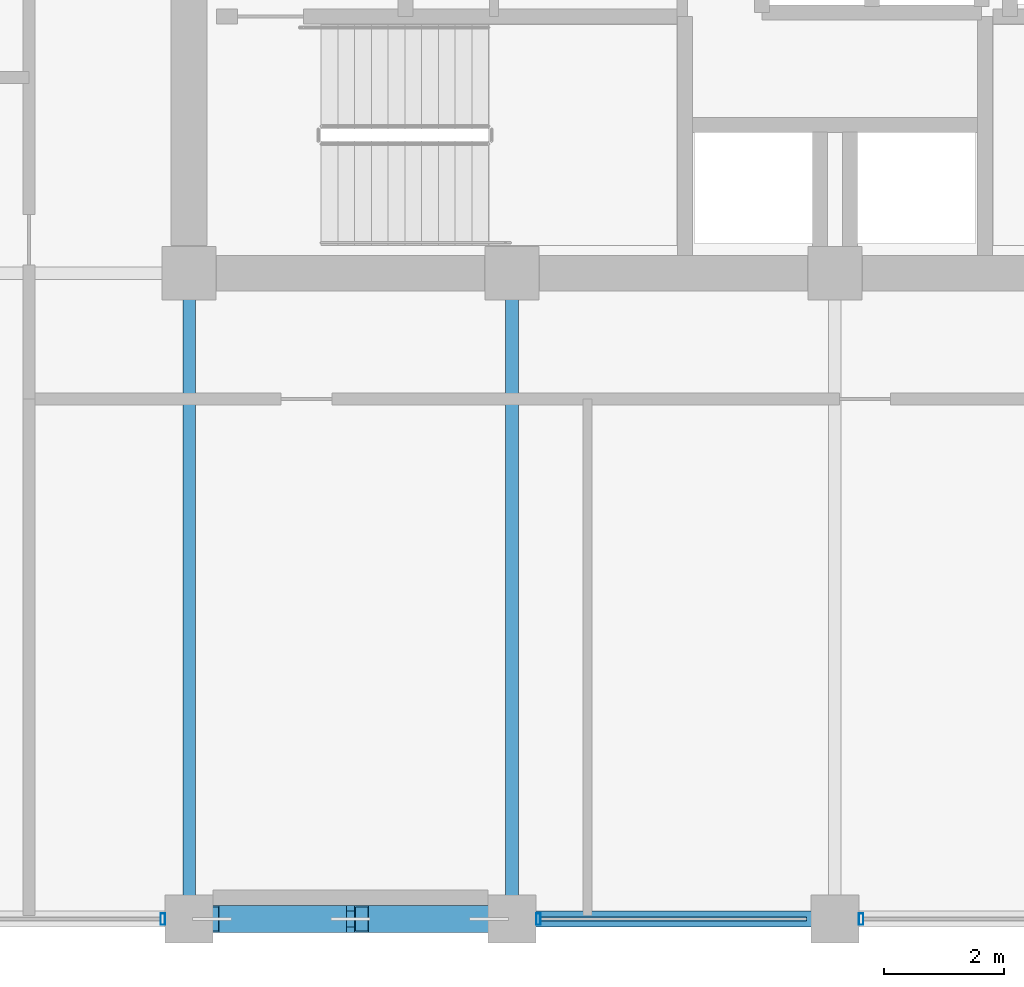
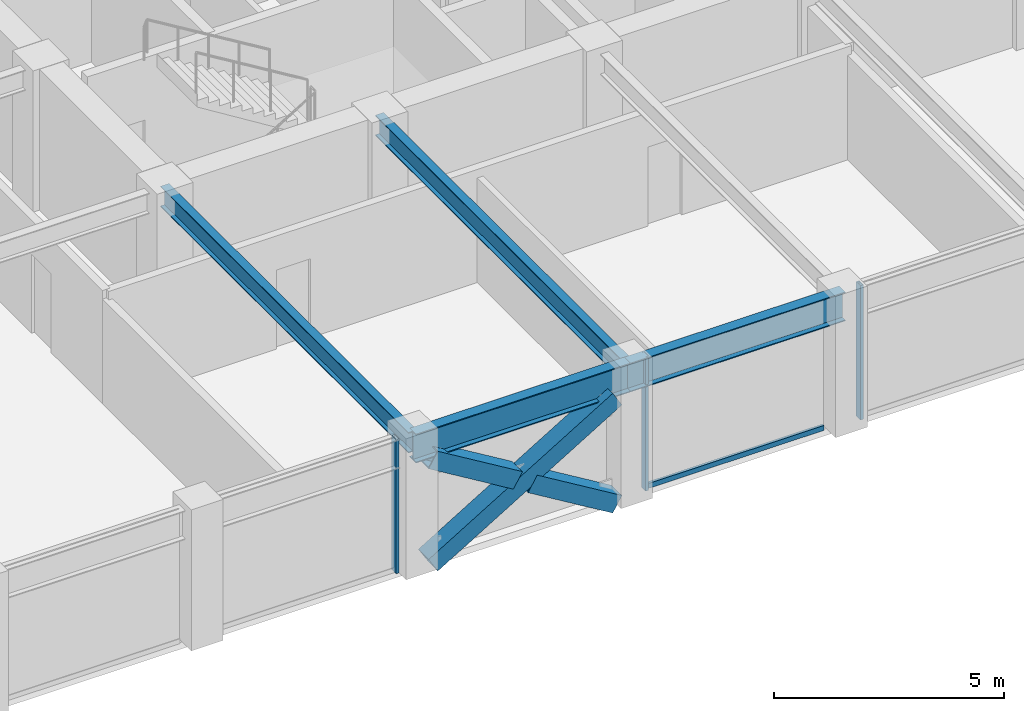
# One storey, part 6 of 30: 7 members, 4 beams, 2 elements without a shape of their own.
"""IFC4 building model written with IfcOpenShell, lengths in metres."""

from ifc_helpers import new_model, si_unit, direction, frame, origin, origin_2d, place, context, subcontext, project, spatial, hollow_rectangle, i_section, extrude, material, layer, layer_set, material_profile, profile_set, type_object, element, aggregate, save


model = new_model("IFC4")

# Units and contexts
model_context = context("Model", 3, precision=1e-05, world=origin(), true_north=direction((0.0, 1.0)))
body_context = subcontext(model_context, "Body", "Model", "MODEL_VIEW")
ifc_project = project(units=[si_unit("LENGTHUNIT", "METRE"), si_unit("AREAUNIT", "SQUARE_METRE"), si_unit("VOLUMEUNIT", "CUBIC_METRE"), si_unit("PLANEANGLEUNIT", "RADIAN"), si_unit("MASSUNIT", "GRAM", prefix="KILO")], contexts=[model_context])

# Site, building, storey
site_placement = place(None, origin())
site = spatial("IfcSite", under=ifc_project, at=site_placement, CompositionType="ELEMENT")
building_placement = place(site_placement, origin())
building = spatial("IfcBuilding", under=site, at=building_placement, Name="Surkhivell Harbour Commons", CompositionType="ELEMENT")
storey_placement = place(building_placement, frame((0.0, 0.0, 231.0)))
storey = spatial("IfcBuildingStorey", under=building, at=storey_placement, Name="L60", CompositionType="ELEMENT", Elevation=231.0)

# Beams
ifc_material_1 = material(Name="Steel S355", Category="steel")
ifc_material_profile_1 = material_profile(ifc_material_1, i_section(OverallWidth=0.2119140625, OverallDepth=0.5439453125, WebThickness=0.0126953125, FlangeThickness=0.021240234375, at=origin_2d()), Name="UB533x210x122")
ifc_profile_set_1 = profile_set([ifc_material_profile_1], Name="Steel S355")
beam_type_1 = type_object("IfcBeamType", Name="BM-GRD-533A", PredefinedType="BEAM", material=ifc_profile_set_1)
for number, where, z_axis, x_axis, name in (
    (1, (-10.800048828125, -21.60009765625, 3.298095703125), (0.0, 1.0, 0.0), (-1.0, 0.0, 0.0), "L60 Floor Girder (-10.8,-21.6)"),
    (2, (-5.39990234375, -21.60009765625, 3.298095703125), (0.0, 1.0, 0.0), (-1.0, 0.0, 0.0), "L60 Floor Girder (-5.4,-21.6)"),
):
    element("IfcBeam", number, at=place(storey_placement, frame(where, z_axis=z_axis, x_axis=x_axis)), inside=storey, type_object=beam_type_1, Name=name, PredefinedType="BEAM", context=body_context, shape_type="SweptSolid", body=[
        extrude(i_section(OverallWidth=0.2119140625, OverallDepth=0.5439453125, WebThickness=0.0126953125, FlangeThickness=0.021240234375, at=origin_2d()), origin(), (0.0, 0.0, 1.0), 10.800048828125),
    ])
ifc_material_profile_2 = material_profile(ifc_material_1, i_section(OverallWidth=0.26806640625, OverallDepth=0.77001953125, WebThickness=0.015625, FlangeThickness=0.025390625, at=origin_2d()), Name="UB762x267x197")
ifc_profile_set_2 = profile_set([ifc_material_profile_2], Name="Steel S355")
beam_type_2 = type_object("IfcBeamType", Name="BM-SPN-762", PredefinedType="SPANDREL", material=ifc_profile_set_2)
beam_1_placement = place(storey_placement, frame((-10.800048828125, -21.60009765625, 3.18505859375), z_axis=(1.0, 0.0, 0.0), x_axis=(0.0, 1.0, 0.0)))
element("IfcBeam", 3, at=beam_1_placement, inside=storey, type_object=beam_type_2, Name="L60 Tube Spandrel (-10.8,-21.6)", PredefinedType="SPANDREL", context=body_context, shape_type="SweptSolid", body=[
    extrude(i_section(OverallWidth=0.26806640625, OverallDepth=0.77001953125, WebThickness=0.015625, FlangeThickness=0.025390625, at=origin_2d()), origin(), (0.0, 0.0, 1.0), 5.400146484375),
])
beam_2_placement = place(storey_placement, frame((-5.39990234375, -21.60009765625, 3.18505859375), z_axis=(1.0, 0.0, 0.0), x_axis=(0.0, 1.0, 0.0)))
element("IfcBeam", 4, at=beam_2_placement, inside=storey, type_object=beam_type_2, Name="L60 Tube Spandrel (-5.4,-21.6)", PredefinedType="SPANDREL", context=body_context, shape_type="SweptSolid", body=[
    extrude(i_section(OverallWidth=0.26806640625, OverallDepth=0.77001953125, WebThickness=0.015625, FlangeThickness=0.025390625, at=origin_2d()), origin(), (0.0, 0.0, 1.0), 5.39990234375),
])

# Curtain wall, member
ifc_material_2 = material(Name="Anodised pale-metal aluminium and insulated glazing", Category="aluminium")
ifc_layer = layer(ifc_material_2, 0.18994140625)
ifc_layer_set = layer_set([ifc_layer], Name="Anodised pale-metal aluminium and insulated glazing")
curtain_wall_type = type_object("IfcCurtainWallType", Name="CW-SYS-Z3", PredefinedType="NOTDEFINED", material=ifc_layer_set)
curtain_wall_1_placement = place(storey_placement, origin())
curtain_wall_1 = element("IfcCurtainWall", 5, at=curtain_wall_1_placement, inside=storey, type_object=curtain_wall_type, Name="L60 Curtain Wall CW-L60-E00S1", PredefinedType="NOTDEFINED")
ifc_material_3 = material(Name="Anodised pale-metal aluminium alloy 6063-T6", Category="aluminium")
ifc_material_profile_3 = material_profile(ifc_material_3, hollow_rectangle(XDim=0.074951171875, YDim=0.18994140625, WallThickness=0.00390625, at=origin_2d()), Name="ALU-MULL-75x190")
ifc_profile_set_3 = profile_set([ifc_material_profile_3], Name="Anodised pale-metal aluminium alloy 6063-T6")
member_type_1 = type_object("IfcMemberType", Name="CWM-190", PredefinedType="MULLION", material=ifc_profile_set_3)
member_1_placement = place(storey_placement, frame((-11.239501953125, -21.60009765625, 0.0), z_axis=(0.0, 0.0, 1.0), x_axis=(1.0, 0.0, 0.0)))
member_1 = element("IfcMember", 6, at=member_1_placement, type_object=member_type_1, Name="CW-Z3 mullion 3", PredefinedType="MULLION", context=body_context, shape_type="SweptSolid", body=[
    extrude(hollow_rectangle(XDim=0.074951171875, YDim=0.18994140625, WallThickness=0.00390625, at=origin_2d()), origin(), (0.0, 0.0, 1.0), 3.570068359375),
])
aggregate(curtain_wall_1, [member_1])

# Curtain wall, members
curtain_wall_2_placement = place(storey_placement, origin())
curtain_wall_2 = element("IfcCurtainWall", 7, at=curtain_wall_2_placement, inside=storey, type_object=curtain_wall_type, Name="L60 Curtain Wall CW-L60-E00S2", PredefinedType="NOTDEFINED")
member_2_placement = place(storey_placement, frame((-4.96044921875, -21.60009765625, 0.0), z_axis=(0.0, 0.0, 1.0), x_axis=(1.0, 0.0, 0.0)))
member_2 = element("IfcMember", 8, at=member_2_placement, type_object=member_type_1, Name="CW-Z3 mullion 1", PredefinedType="MULLION", context=body_context, shape_type="SweptSolid", body=[
    extrude(hollow_rectangle(XDim=0.074951171875, YDim=0.18994140625, WallThickness=0.00390625, at=origin_2d()), origin(), (0.0, 0.0, 1.0), 3.570068359375),
])
member_3_placement = place(storey_placement, frame((0.439453125, -21.60009765625, 0.0), z_axis=(0.0, 0.0, 1.0), x_axis=(1.0, 0.0, 0.0)))
member_3 = element("IfcMember", 9, at=member_3_placement, type_object=member_type_1, Name="CW-Z3 mullion 2", PredefinedType="MULLION", context=body_context, shape_type="SweptSolid", body=[
    extrude(hollow_rectangle(XDim=0.074951171875, YDim=0.18994140625, WallThickness=0.00390625, at=origin_2d()), origin(), (0.0, 0.0, 1.0), 3.570068359375),
])
ifc_material_4 = material(Name="Champagne anodised aluminium alloy 6063-T6", Category="aluminium")
ifc_material_profile_4 = material_profile(ifc_material_4, hollow_rectangle(XDim=0.070068359375, YDim=0.1298828125, WallThickness=0.00341796875, at=origin_2d()), Name="ALU-TRAN-70x130")
ifc_profile_set_4 = profile_set([ifc_material_profile_4], Name="Champagne anodised aluminium alloy 6063-T6")
member_type_2 = type_object("IfcMemberType", Name="CWT-130", PredefinedType="USERDEFINED", material=ifc_profile_set_4)
member_4_placement = place(storey_placement, frame((-4.923095703125, -21.60009765625, 0.06494140625), z_axis=(1.0, 0.0, 0.0), x_axis=(0.0, 1.0, 0.0)))
member_4 = element("IfcMember", 10, at=member_4_placement, type_object=member_type_2, Name="CW-Z3 transom 1.1", ObjectType="TRANSOM", PredefinedType="USERDEFINED", context=body_context, shape_type="SweptSolid", body=[
    extrude(hollow_rectangle(XDim=0.070068359375, YDim=0.1298828125, WallThickness=0.00341796875, at=origin_2d()), origin(), (0.0, 0.0, 1.0), 4.446044921875),
])
aggregate(curtain_wall_2, [member_2, member_4, member_3])

# Members
ifc_material_5 = material(Name="Steel S460", Category="steel")
ifc_material_profile_5 = material_profile(ifc_material_5, hollow_rectangle(XDim=0.449951171875, YDim=0.449951171875, WallThickness=0.02197265625, at=origin_2d()), Name="SHS450x450x22")
ifc_profile_set_5 = profile_set([ifc_material_profile_5], Name="Steel S460")
member_type_3 = type_object("IfcMemberType", Name="MEM-BRC-SHS450", PredefinedType="BRACE", material=ifc_profile_set_5)
member_5_placement = place(storey_placement, frame((-10.4150390625, -21.60009765625, 0.008056640625), z_axis=(0.856035804566, 0.0, 0.516916532238), x_axis=(0.0, 1.0, 0.0)))
element("IfcMember", 11, at=member_5_placement, inside=storey, type_object=member_type_3, Name="L60 Perimeter Mega-Brace MB- 07", PredefinedType="BRACE", context=body_context, shape_type="SweptSolid", body=[
    extrude(hollow_rectangle(XDim=0.449951171875, YDim=0.449951171875, WallThickness=0.02197265625, at=origin_2d()), origin(), (0.0, 0.0, 1.0), 5.40869140625),
])
member_6_placement = place(storey_placement, frame((-5.784912109375, -21.60009765625, 0.008056640625), z_axis=(-0.856061168755, 0.0, 0.516874525731), x_axis=(0.0, -1.0, 0.0)))
element("IfcMember", 12, at=member_6_placement, inside=storey, type_object=member_type_3, Name="L60 Perimeter Mega-Brace MB- 08", PredefinedType="BRACE", context=body_context, shape_type="SweptSolid", body=[
    extrude(hollow_rectangle(XDim=0.449951171875, YDim=0.449951171875, WallThickness=0.02197265625, at=origin_2d()), origin(), (0.0, 0.0, 1.0), 2.48828125),
])
member_7_placement = place(storey_placement, frame((-8.284912109375, -21.60009765625, 1.517578125), z_axis=(-0.856017753989, 0.0, 0.516946423584), x_axis=(0.0, -1.0, 0.0)))
element("IfcMember", 13, at=member_7_placement, inside=storey, type_object=member_type_3, Name="L60 Perimeter Mega-Brace MB- 09", PredefinedType="BRACE", context=body_context, shape_type="SweptSolid", body=[
    extrude(hollow_rectangle(XDim=0.449951171875, YDim=0.449951171875, WallThickness=0.02197265625, at=origin_2d()), origin(), (0.0, 0.0, 1.0), 2.488525390625),
])

save(model, "model.ifc")
